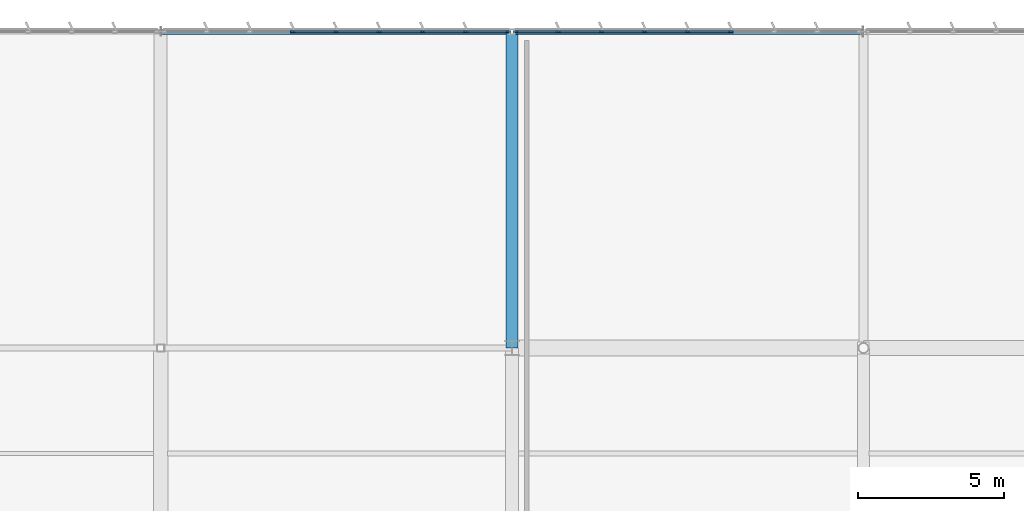
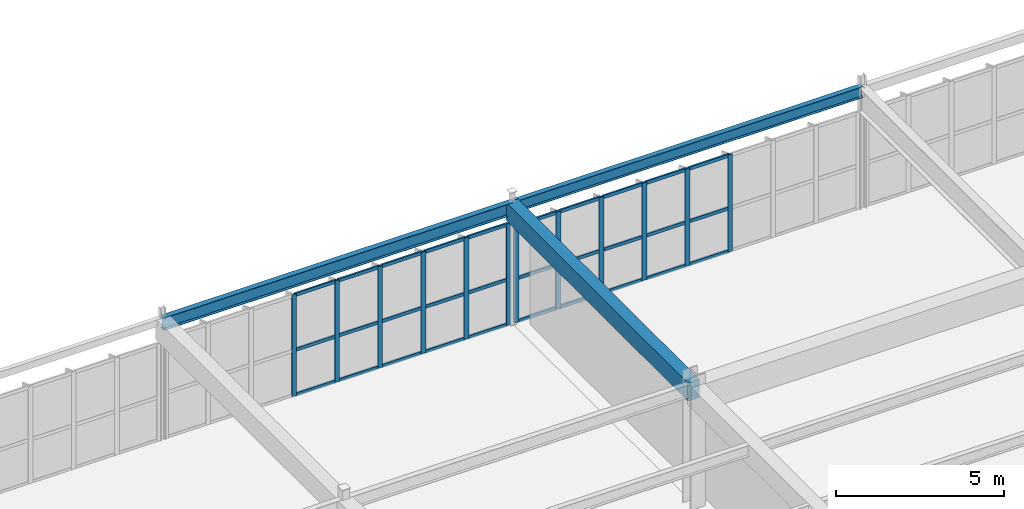
# One storey, part 109 of 186: 42 members, 3 beams, 2 elements without a shape of their own.
"""IFC4 building model written with IfcOpenShell, lengths in metres."""

from ifc_helpers import new_model, si_unit, direction, frame, origin, origin_2d, place, context, subcontext, project, spatial, rectangle, i_section, extrude, material, layer, layer_set, material_profile, profile_set, type_object, element, aggregate, save


model = new_model("IFC4")

# Units and contexts
model_context = context("Model", 3, precision=1e-05, world=origin(), true_north=direction((0.0, 1.0)))
body_context = subcontext(model_context, "Body", "Model", "MODEL_VIEW")
ifc_project = project(units=[si_unit("LENGTHUNIT", "METRE"), si_unit("AREAUNIT", "SQUARE_METRE"), si_unit("VOLUMEUNIT", "CUBIC_METRE"), si_unit("PLANEANGLEUNIT", "RADIAN"), si_unit("MASSUNIT", "GRAM", prefix="KILO")], contexts=[model_context])

# Site, building, storey
site_placement = place(None, origin())
site = spatial("IfcSite", under=ifc_project, at=site_placement, CompositionType="ELEMENT")
building_placement = place(site_placement, origin())
building = spatial("IfcBuilding", under=site, at=building_placement, Name="Tarnwether General Hospital", CompositionType="ELEMENT")
storey_placement = place(building_placement, frame((0.0, 0.0, 9.60009765625)))
storey = spatial("IfcBuildingStorey", under=building, at=storey_placement, Name="L02", CompositionType="ELEMENT", Elevation=9.60009765625)

# Beams
ifc_material_1 = material(Name="Concrete 40 MPa", Category="concrete")
ifc_material_profile_1 = material_profile(ifc_material_1, rectangle(XDim=0.39990234375, YDim=0.64990234375, at=origin_2d()), Name="RC-BM-400x650")
ifc_profile_set_1 = profile_set([ifc_material_profile_1], Name="Concrete 40 MPa")
beam_type_1 = type_object("IfcBeamType", Name="BM-G14", PredefinedType="BEAM", material=ifc_profile_set_1)
beam_1_placement = place(storey_placement, frame((168.0, 115.199951171875, 4.119873046875), z_axis=(0.0, 1.0, 0.0), x_axis=(-1.0, 0.0, 0.0)))
element("IfcBeam", 1, at=beam_1_placement, inside=storey, type_object=beam_type_1, Name="Primary Girder BMG-L02-16800_11520-16800_12600-1620", PredefinedType="BEAM", context=body_context, shape_type="SweptSolid", body=[
    extrude(rectangle(XDim=0.39990234375, YDim=0.64990234375, at=origin_2d()), origin(), (0.0, 0.0, 1.0), 10.800048828125),
])
ifc_material_2 = material(Name="Steel Grade 350 (350 MPa)", Category="steel")
ifc_material_profile_2 = material_profile(ifc_material_2, i_section(OverallWidth=0.18994140625, OverallDepth=0.4541015625, WebThickness=0.008544921875, FlangeThickness=0.0126953125, at=origin_2d()), Name="460UB67.1")
ifc_profile_set_2 = profile_set([ifc_material_profile_2], Name="Steel Grade 350 (350 MPa)")
beam_type_2 = type_object("IfcBeamType", Name="BM-SP1", PredefinedType="SPANDREL", material=ifc_profile_set_2)
beam_2_placement = place(storey_placement, frame((156.0, 126.0, 4.218017578125), z_axis=(1.0, 0.0, 0.0), x_axis=(0.0, 1.0, 0.0)))
element("IfcBeam", 2, at=beam_2_placement, inside=storey, type_object=beam_type_2, Name="Primary Girder BMG-L02-15600_12600-16800_12600-1605", PredefinedType="SPANDREL", context=body_context, shape_type="SweptSolid", body=[
    extrude(i_section(OverallWidth=0.18994140625, OverallDepth=0.4541015625, WebThickness=0.008544921875, FlangeThickness=0.0126953125, at=origin_2d()), origin(), (0.0, 0.0, 1.0), 12.0),
])
ifc_material_3 = material(Name="Steel Grade 350 (350 MPa)", Category="steel")
ifc_material_profile_3 = material_profile(ifc_material_3, i_section(OverallWidth=0.177978515625, OverallDepth=0.403076171875, WebThickness=0.007568359375, FlangeThickness=0.010986328125, at=origin_2d()), Name="410UB53.7")
ifc_profile_set_3 = profile_set([ifc_material_profile_3], Name="Steel Grade 350 (350 MPa)")
beam_type_3 = type_object("IfcBeamType", Name="BM-SP2", PredefinedType="SPANDREL", material=ifc_profile_set_3)
beam_3_placement = place(storey_placement, frame((168.0, 126.0, 4.23828125), z_axis=(1.0, 0.0, 0.0), x_axis=(0.0, 1.0, 0.0)))
element("IfcBeam", 3, at=beam_3_placement, inside=storey, type_object=beam_type_3, Name="Primary Girder BMG-L02-16800_12600-18000_12600-1621", PredefinedType="SPANDREL", context=body_context, shape_type="SweptSolid", body=[
    extrude(i_section(OverallWidth=0.177978515625, OverallDepth=0.403076171875, WebThickness=0.007568359375, FlangeThickness=0.010986328125, at=origin_2d()), origin(), (0.0, 0.0, 1.0), 12.0),
])

# Curtain wall, members
ifc_material_4 = material(Name="Anodised aluminium", Category="aluminium")
ifc_layer = layer(ifc_material_4, 0.159912109375)
ifc_layer_set = layer_set([ifc_layer], Name="Anodised aluminium")
curtain_wall_type = type_object("IfcCurtainWallType", Name="CW-16", PredefinedType="NOTDEFINED", material=ifc_layer_set)
curtain_wall_1_placement = place(storey_placement, origin())
curtain_wall_1 = element("IfcCurtainWall", 4, at=curtain_wall_1_placement, inside=storey, type_object=curtain_wall_type, Name="Curtain Wall CWG-L02-1561_1260-0463", PredefinedType="NOTDEFINED")
ifc_material_5 = material(Name="Anodised aluminium", Category="aluminium")
ifc_material_profile_4 = material_profile(ifc_material_5, rectangle(XDim=0.06005859375, YDim=0.159912109375, at=origin_2d()), Name="ALU-MUL-60x160")
ifc_profile_set_4 = profile_set([ifc_material_profile_4], Name="Anodised aluminium")
member_type_1 = type_object("IfcMemberType", Name="CW-ML1", PredefinedType="MULLION", material=ifc_profile_set_4)
member_1_placement = place(storey_placement, frame((160.514892578125, 126.0, 0.0), z_axis=(0.0, 0.0, 1.0), x_axis=(0.0, 1.0, 0.0)))
member_1 = element("IfcMember", 5, at=member_1_placement, type_object=member_type_1, Name="CW-16 mullion 4", PredefinedType="MULLION", context=body_context, shape_type="SweptSolid", body=[
    extrude(rectangle(XDim=0.06005859375, YDim=0.159912109375, at=origin_2d()), origin(), (0.0, 0.0, 1.0), 3.679931640625),
])
member_2_placement = place(storey_placement, frame((161.990966796875, 126.0, 0.0), z_axis=(0.0, 0.0, 1.0), x_axis=(0.0, 1.0, 0.0)))
member_2 = element("IfcMember", 6, at=member_2_placement, type_object=member_type_1, Name="CW-16 mullion 5", PredefinedType="MULLION", context=body_context, shape_type="SweptSolid", body=[
    extrude(rectangle(XDim=0.06005859375, YDim=0.159912109375, at=origin_2d()), origin(), (0.0, 0.0, 1.0), 3.679931640625),
])
member_3_placement = place(storey_placement, frame((163.467041015625, 126.0, 0.0), z_axis=(0.0, 0.0, 1.0), x_axis=(0.0, 1.0, 0.0)))
member_3 = element("IfcMember", 7, at=member_3_placement, type_object=member_type_1, Name="CW-16 mullion 6", PredefinedType="MULLION", context=body_context, shape_type="SweptSolid", body=[
    extrude(rectangle(XDim=0.06005859375, YDim=0.159912109375, at=origin_2d()), origin(), (0.0, 0.0, 1.0), 3.679931640625),
])
member_4_placement = place(storey_placement, frame((164.943115234375, 126.0, 0.0), z_axis=(0.0, 0.0, 1.0), x_axis=(0.0, 1.0, 0.0)))
member_4 = element("IfcMember", 8, at=member_4_placement, type_object=member_type_1, Name="CW-16 mullion 7", PredefinedType="MULLION", context=body_context, shape_type="SweptSolid", body=[
    extrude(rectangle(XDim=0.06005859375, YDim=0.159912109375, at=origin_2d()), origin(), (0.0, 0.0, 1.0), 3.679931640625),
])
member_5_placement = place(storey_placement, frame((166.4189453125, 126.0, 0.0), z_axis=(0.0, 0.0, 1.0), x_axis=(0.0, 1.0, 0.0)))
member_5 = element("IfcMember", 9, at=member_5_placement, type_object=member_type_1, Name="CW-16 mullion 8", PredefinedType="MULLION", context=body_context, shape_type="SweptSolid", body=[
    extrude(rectangle(XDim=0.06005859375, YDim=0.159912109375, at=origin_2d()), origin(), (0.0, 0.0, 1.0), 3.679931640625),
])
member_6_placement = place(storey_placement, frame((167.864990234375, 126.0, 0.0), z_axis=(0.0, 0.0, 1.0), x_axis=(0.0, 1.0, 0.0)))
member_6 = element("IfcMember", 10, at=member_6_placement, type_object=member_type_1, Name="CW-16 mullion 9", PredefinedType="MULLION", context=body_context, shape_type="SweptSolid", body=[
    extrude(rectangle(XDim=0.06005859375, YDim=0.159912109375, at=origin_2d()), origin(), (0.0, 0.0, 1.0), 3.679931640625),
])

curtain_wall_2_placement = place(storey_placement, origin())
curtain_wall_2 = element("IfcCurtainWall", 11, at=curtain_wall_2_placement, inside=storey, type_object=curtain_wall_type, Name="Curtain Wall CWG-L02-1681_1260-0464", PredefinedType="NOTDEFINED")
member_7_placement = place(storey_placement, frame((168.135009765625, 126.0, 0.0), z_axis=(0.0, 0.0, 1.0), x_axis=(0.0, 1.0, 0.0)))
member_7 = element("IfcMember", 12, at=member_7_placement, type_object=member_type_1, Name="CW-16 mullion 1", PredefinedType="MULLION", context=body_context, shape_type="SweptSolid", body=[
    extrude(rectangle(XDim=0.06005859375, YDim=0.159912109375, at=origin_2d()), origin(), (0.0, 0.0, 1.0), 3.52490234375),
])
member_8_placement = place(storey_placement, frame((169.578369140625, 126.0, 0.0), z_axis=(0.0, 0.0, 1.0), x_axis=(0.0, 1.0, 0.0)))
member_8 = element("IfcMember", 13, at=member_8_placement, type_object=member_type_1, Name="CW-16 mullion 2", PredefinedType="MULLION", context=body_context, shape_type="SweptSolid", body=[
    extrude(rectangle(XDim=0.06005859375, YDim=0.159912109375, at=origin_2d()), origin(), (0.0, 0.0, 1.0), 3.52490234375),
])
member_9_placement = place(storey_placement, frame((171.051513671875, 126.0, 0.0), z_axis=(0.0, 0.0, 1.0), x_axis=(0.0, 1.0, 0.0)))
member_9 = element("IfcMember", 14, at=member_9_placement, type_object=member_type_1, Name="CW-16 mullion 3", PredefinedType="MULLION", context=body_context, shape_type="SweptSolid", body=[
    extrude(rectangle(XDim=0.06005859375, YDim=0.159912109375, at=origin_2d()), origin(), (0.0, 0.0, 1.0), 3.52490234375),
])
member_10_placement = place(storey_placement, frame((172.524658203125, 126.0, 0.0), z_axis=(0.0, 0.0, 1.0), x_axis=(0.0, 1.0, 0.0)))
member_10 = element("IfcMember", 15, at=member_10_placement, type_object=member_type_1, Name="CW-16 mullion 4", PredefinedType="MULLION", context=body_context, shape_type="SweptSolid", body=[
    extrude(rectangle(XDim=0.06005859375, YDim=0.159912109375, at=origin_2d()), origin(), (0.0, 0.0, 1.0), 3.52490234375),
])
member_11_placement = place(storey_placement, frame((173.998046875, 126.0, 0.0), z_axis=(0.0, 0.0, 1.0), x_axis=(0.0, 1.0, 0.0)))
member_11 = element("IfcMember", 16, at=member_11_placement, type_object=member_type_1, Name="CW-16 mullion 5", PredefinedType="MULLION", context=body_context, shape_type="SweptSolid", body=[
    extrude(rectangle(XDim=0.06005859375, YDim=0.159912109375, at=origin_2d()), origin(), (0.0, 0.0, 1.0), 3.52490234375),
])
member_12_placement = place(storey_placement, frame((175.47119140625, 126.0, 0.0), z_axis=(0.0, 0.0, 1.0), x_axis=(0.0, 1.0, 0.0)))
member_12 = element("IfcMember", 17, at=member_12_placement, type_object=member_type_1, Name="CW-16 mullion 6", PredefinedType="MULLION", context=body_context, shape_type="SweptSolid", body=[
    extrude(rectangle(XDim=0.06005859375, YDim=0.159912109375, at=origin_2d()), origin(), (0.0, 0.0, 1.0), 3.52490234375),
])

# Member
ifc_material_6 = material(Name="Anodised aluminium", Category="aluminium")
ifc_material_profile_5 = material_profile(ifc_material_6, rectangle(XDim=0.06005859375, YDim=0.1201171875, at=origin_2d()), Name="ALU-TRN-60x120")
ifc_profile_set_5 = profile_set([ifc_material_profile_5], Name="Anodised aluminium")
member_type_2 = type_object("IfcMemberType", Name="CW-TR1", PredefinedType="USERDEFINED", material=ifc_profile_set_5)
member_13_placement = place(storey_placement, frame((160.544921875, 126.0, 0.02978515625), z_axis=(1.0, 0.0, 0.0), x_axis=(0.0, 1.0, 0.0)))
member_13 = element("IfcMember", 18, at=member_13_placement, type_object=member_type_2, Name="CW-16 transom 4.1", ObjectType="TRANSOM", PredefinedType="USERDEFINED", context=body_context, shape_type="SweptSolid", body=[
    extrude(rectangle(XDim=0.06005859375, YDim=0.1201171875, at=origin_2d()), origin(), (0.0, 0.0, 1.0), 1.416015625),
])

member_14_placement = place(storey_placement, frame((160.544921875, 126.0, 1.656005859375), z_axis=(1.0, 0.0, 0.0), x_axis=(0.0, 1.0, 0.0)))
member_14 = element("IfcMember", 19, at=member_14_placement, type_object=member_type_2, Name="CW-16 transom 4.2", ObjectType="TRANSOM", PredefinedType="USERDEFINED", context=body_context, shape_type="SweptSolid", body=[
    extrude(rectangle(XDim=0.06005859375, YDim=0.1201171875, at=origin_2d()), origin(), (0.0, 0.0, 1.0), 1.416015625),
])

member_15_placement = place(storey_placement, frame((160.544921875, 126.0, 3.64990234375), z_axis=(1.0, 0.0, 0.0), x_axis=(0.0, 1.0, 0.0)))
member_15 = element("IfcMember", 20, at=member_15_placement, type_object=member_type_2, Name="CW-16 transom 4.3", ObjectType="TRANSOM", PredefinedType="USERDEFINED", context=body_context, shape_type="SweptSolid", body=[
    extrude(rectangle(XDim=0.06005859375, YDim=0.1201171875, at=origin_2d()), origin(), (0.0, 0.0, 1.0), 1.416015625),
])

member_16_placement = place(storey_placement, frame((162.02099609375, 126.0, 0.02978515625), z_axis=(1.0, 0.0, 0.0), x_axis=(0.0, 1.0, 0.0)))
member_16 = element("IfcMember", 21, at=member_16_placement, type_object=member_type_2, Name="CW-16 transom 5.1", ObjectType="TRANSOM", PredefinedType="USERDEFINED", context=body_context, shape_type="SweptSolid", body=[
    extrude(rectangle(XDim=0.06005859375, YDim=0.1201171875, at=origin_2d()), origin(), (0.0, 0.0, 1.0), 1.416015625),
])

member_17_placement = place(storey_placement, frame((162.02099609375, 126.0, 1.656005859375), z_axis=(1.0, 0.0, 0.0), x_axis=(0.0, 1.0, 0.0)))
member_17 = element("IfcMember", 22, at=member_17_placement, type_object=member_type_2, Name="CW-16 transom 5.2", ObjectType="TRANSOM", PredefinedType="USERDEFINED", context=body_context, shape_type="SweptSolid", body=[
    extrude(rectangle(XDim=0.06005859375, YDim=0.1201171875, at=origin_2d()), origin(), (0.0, 0.0, 1.0), 1.416015625),
])

member_18_placement = place(storey_placement, frame((162.02099609375, 126.0, 3.64990234375), z_axis=(1.0, 0.0, 0.0), x_axis=(0.0, 1.0, 0.0)))
member_18 = element("IfcMember", 23, at=member_18_placement, type_object=member_type_2, Name="CW-16 transom 5.3", ObjectType="TRANSOM", PredefinedType="USERDEFINED", context=body_context, shape_type="SweptSolid", body=[
    extrude(rectangle(XDim=0.06005859375, YDim=0.1201171875, at=origin_2d()), origin(), (0.0, 0.0, 1.0), 1.416015625),
])

member_19_placement = place(storey_placement, frame((163.4970703125, 126.0, 0.02978515625), z_axis=(1.0, 0.0, 0.0), x_axis=(0.0, 1.0, 0.0)))
member_19 = element("IfcMember", 24, at=member_19_placement, type_object=member_type_2, Name="CW-16 transom 6.1", ObjectType="TRANSOM", PredefinedType="USERDEFINED", context=body_context, shape_type="SweptSolid", body=[
    extrude(rectangle(XDim=0.06005859375, YDim=0.1201171875, at=origin_2d()), origin(), (0.0, 0.0, 1.0), 1.416015625),
])

member_20_placement = place(storey_placement, frame((163.4970703125, 126.0, 1.656005859375), z_axis=(1.0, 0.0, 0.0), x_axis=(0.0, 1.0, 0.0)))
member_20 = element("IfcMember", 25, at=member_20_placement, type_object=member_type_2, Name="CW-16 transom 6.2", ObjectType="TRANSOM", PredefinedType="USERDEFINED", context=body_context, shape_type="SweptSolid", body=[
    extrude(rectangle(XDim=0.06005859375, YDim=0.1201171875, at=origin_2d()), origin(), (0.0, 0.0, 1.0), 1.416015625),
])

member_21_placement = place(storey_placement, frame((163.4970703125, 126.0, 3.64990234375), z_axis=(1.0, 0.0, 0.0), x_axis=(0.0, 1.0, 0.0)))
member_21 = element("IfcMember", 26, at=member_21_placement, type_object=member_type_2, Name="CW-16 transom 6.3", ObjectType="TRANSOM", PredefinedType="USERDEFINED", context=body_context, shape_type="SweptSolid", body=[
    extrude(rectangle(XDim=0.06005859375, YDim=0.1201171875, at=origin_2d()), origin(), (0.0, 0.0, 1.0), 1.416015625),
])

member_22_placement = place(storey_placement, frame((164.972900390625, 126.0, 0.02978515625), z_axis=(1.0, 0.0, 0.0), x_axis=(0.0, 1.0, 0.0)))
member_22 = element("IfcMember", 27, at=member_22_placement, type_object=member_type_2, Name="CW-16 transom 7.1", ObjectType="TRANSOM", PredefinedType="USERDEFINED", context=body_context, shape_type="SweptSolid", body=[
    extrude(rectangle(XDim=0.06005859375, YDim=0.1201171875, at=origin_2d()), origin(), (0.0, 0.0, 1.0), 1.416015625),
])

member_23_placement = place(storey_placement, frame((164.972900390625, 126.0, 1.656005859375), z_axis=(1.0, 0.0, 0.0), x_axis=(0.0, 1.0, 0.0)))
member_23 = element("IfcMember", 28, at=member_23_placement, type_object=member_type_2, Name="CW-16 transom 7.2", ObjectType="TRANSOM", PredefinedType="USERDEFINED", context=body_context, shape_type="SweptSolid", body=[
    extrude(rectangle(XDim=0.06005859375, YDim=0.1201171875, at=origin_2d()), origin(), (0.0, 0.0, 1.0), 1.416015625),
])

member_24_placement = place(storey_placement, frame((164.972900390625, 126.0, 3.64990234375), z_axis=(1.0, 0.0, 0.0), x_axis=(0.0, 1.0, 0.0)))
member_24 = element("IfcMember", 29, at=member_24_placement, type_object=member_type_2, Name="CW-16 transom 7.3", ObjectType="TRANSOM", PredefinedType="USERDEFINED", context=body_context, shape_type="SweptSolid", body=[
    extrude(rectangle(XDim=0.06005859375, YDim=0.1201171875, at=origin_2d()), origin(), (0.0, 0.0, 1.0), 1.416015625),
])

member_25_placement = place(storey_placement, frame((166.448974609375, 126.0, 0.02978515625), z_axis=(1.0, 0.0, 0.0), x_axis=(0.0, 1.0, 0.0)))
member_25 = element("IfcMember", 30, at=member_25_placement, type_object=member_type_2, Name="CW-16 transom 8.1", ObjectType="TRANSOM", PredefinedType="USERDEFINED", context=body_context, shape_type="SweptSolid", body=[
    extrude(rectangle(XDim=0.06005859375, YDim=0.1201171875, at=origin_2d()), origin(), (0.0, 0.0, 1.0), 1.385986328125),
])

member_26_placement = place(storey_placement, frame((166.448974609375, 126.0, 1.656005859375), z_axis=(1.0, 0.0, 0.0), x_axis=(0.0, 1.0, 0.0)))
member_26 = element("IfcMember", 31, at=member_26_placement, type_object=member_type_2, Name="CW-16 transom 8.2", ObjectType="TRANSOM", PredefinedType="USERDEFINED", context=body_context, shape_type="SweptSolid", body=[
    extrude(rectangle(XDim=0.06005859375, YDim=0.1201171875, at=origin_2d()), origin(), (0.0, 0.0, 1.0), 1.385986328125),
])

member_27_placement = place(storey_placement, frame((166.448974609375, 126.0, 3.64990234375), z_axis=(1.0, 0.0, 0.0), x_axis=(0.0, 1.0, 0.0)))
member_27 = element("IfcMember", 32, at=member_27_placement, type_object=member_type_2, Name="CW-16 transom 8.3", ObjectType="TRANSOM", PredefinedType="USERDEFINED", context=body_context, shape_type="SweptSolid", body=[
    extrude(rectangle(XDim=0.06005859375, YDim=0.1201171875, at=origin_2d()), origin(), (0.0, 0.0, 1.0), 1.385986328125),
])

aggregate(curtain_wall_1, [member_1, member_2, member_3, member_4, member_5, member_6, member_13, member_14, member_15, member_16, member_17, member_18, member_19, member_20, member_21, member_22, member_23, member_24, member_25, member_26, member_27])

member_28_placement = place(storey_placement, frame((168.1650390625, 126.0, 0.02978515625), z_axis=(1.0, 0.0, 0.0), x_axis=(0.0, 1.0, 0.0)))
member_28 = element("IfcMember", 33, at=member_28_placement, type_object=member_type_2, Name="CW-16 transom 1.1", ObjectType="TRANSOM", PredefinedType="USERDEFINED", context=body_context, shape_type="SweptSolid", body=[
    extrude(rectangle(XDim=0.06005859375, YDim=0.1201171875, at=origin_2d()), origin(), (0.0, 0.0, 1.0), 1.38330078125),
])

member_29_placement = place(storey_placement, frame((168.1650390625, 126.0, 1.586181640625), z_axis=(1.0, 0.0, 0.0), x_axis=(0.0, 1.0, 0.0)))
member_29 = element("IfcMember", 34, at=member_29_placement, type_object=member_type_2, Name="CW-16 transom 1.2", ObjectType="TRANSOM", PredefinedType="USERDEFINED", context=body_context, shape_type="SweptSolid", body=[
    extrude(rectangle(XDim=0.06005859375, YDim=0.1201171875, at=origin_2d()), origin(), (0.0, 0.0, 1.0), 1.38330078125),
])

member_30_placement = place(storey_placement, frame((168.1650390625, 126.0, 3.494873046875), z_axis=(1.0, 0.0, 0.0), x_axis=(0.0, 1.0, 0.0)))
member_30 = element("IfcMember", 35, at=member_30_placement, type_object=member_type_2, Name="CW-16 transom 1.3", ObjectType="TRANSOM", PredefinedType="USERDEFINED", context=body_context, shape_type="SweptSolid", body=[
    extrude(rectangle(XDim=0.06005859375, YDim=0.1201171875, at=origin_2d()), origin(), (0.0, 0.0, 1.0), 1.38330078125),
])

member_31_placement = place(storey_placement, frame((169.608154296875, 126.0, 0.02978515625), z_axis=(1.0, 0.0, 0.0), x_axis=(0.0, 1.0, 0.0)))
member_31 = element("IfcMember", 36, at=member_31_placement, type_object=member_type_2, Name="CW-16 transom 2.1", ObjectType="TRANSOM", PredefinedType="USERDEFINED", context=body_context, shape_type="SweptSolid", body=[
    extrude(rectangle(XDim=0.06005859375, YDim=0.1201171875, at=origin_2d()), origin(), (0.0, 0.0, 1.0), 1.413330078125),
])

member_32_placement = place(storey_placement, frame((169.608154296875, 126.0, 1.586181640625), z_axis=(1.0, 0.0, 0.0), x_axis=(0.0, 1.0, 0.0)))
member_32 = element("IfcMember", 37, at=member_32_placement, type_object=member_type_2, Name="CW-16 transom 2.2", ObjectType="TRANSOM", PredefinedType="USERDEFINED", context=body_context, shape_type="SweptSolid", body=[
    extrude(rectangle(XDim=0.06005859375, YDim=0.1201171875, at=origin_2d()), origin(), (0.0, 0.0, 1.0), 1.413330078125),
])

member_33_placement = place(storey_placement, frame((169.608154296875, 126.0, 3.494873046875), z_axis=(1.0, 0.0, 0.0), x_axis=(0.0, 1.0, 0.0)))
member_33 = element("IfcMember", 38, at=member_33_placement, type_object=member_type_2, Name="CW-16 transom 2.3", ObjectType="TRANSOM", PredefinedType="USERDEFINED", context=body_context, shape_type="SweptSolid", body=[
    extrude(rectangle(XDim=0.06005859375, YDim=0.1201171875, at=origin_2d()), origin(), (0.0, 0.0, 1.0), 1.413330078125),
])

member_34_placement = place(storey_placement, frame((171.08154296875, 126.0, 0.02978515625), z_axis=(1.0, 0.0, 0.0), x_axis=(0.0, 1.0, 0.0)))
member_34 = element("IfcMember", 39, at=member_34_placement, type_object=member_type_2, Name="CW-16 transom 3.1", ObjectType="TRANSOM", PredefinedType="USERDEFINED", context=body_context, shape_type="SweptSolid", body=[
    extrude(rectangle(XDim=0.06005859375, YDim=0.1201171875, at=origin_2d()), origin(), (0.0, 0.0, 1.0), 1.4130859375),
])

member_35_placement = place(storey_placement, frame((171.08154296875, 126.0, 1.586181640625), z_axis=(1.0, 0.0, 0.0), x_axis=(0.0, 1.0, 0.0)))
member_35 = element("IfcMember", 40, at=member_35_placement, type_object=member_type_2, Name="CW-16 transom 3.2", ObjectType="TRANSOM", PredefinedType="USERDEFINED", context=body_context, shape_type="SweptSolid", body=[
    extrude(rectangle(XDim=0.06005859375, YDim=0.1201171875, at=origin_2d()), origin(), (0.0, 0.0, 1.0), 1.4130859375),
])

member_36_placement = place(storey_placement, frame((171.08154296875, 126.0, 3.494873046875), z_axis=(1.0, 0.0, 0.0), x_axis=(0.0, 1.0, 0.0)))
member_36 = element("IfcMember", 41, at=member_36_placement, type_object=member_type_2, Name="CW-16 transom 3.3", ObjectType="TRANSOM", PredefinedType="USERDEFINED", context=body_context, shape_type="SweptSolid", body=[
    extrude(rectangle(XDim=0.06005859375, YDim=0.1201171875, at=origin_2d()), origin(), (0.0, 0.0, 1.0), 1.4130859375),
])

member_37_placement = place(storey_placement, frame((172.5546875, 126.0, 0.02978515625), z_axis=(1.0, 0.0, 0.0), x_axis=(0.0, 1.0, 0.0)))
member_37 = element("IfcMember", 42, at=member_37_placement, type_object=member_type_2, Name="CW-16 transom 4.1", ObjectType="TRANSOM", PredefinedType="USERDEFINED", context=body_context, shape_type="SweptSolid", body=[
    extrude(rectangle(XDim=0.06005859375, YDim=0.1201171875, at=origin_2d()), origin(), (0.0, 0.0, 1.0), 1.413330078125),
])

member_38_placement = place(storey_placement, frame((172.5546875, 126.0, 1.586181640625), z_axis=(1.0, 0.0, 0.0), x_axis=(0.0, 1.0, 0.0)))
member_38 = element("IfcMember", 43, at=member_38_placement, type_object=member_type_2, Name="CW-16 transom 4.2", ObjectType="TRANSOM", PredefinedType="USERDEFINED", context=body_context, shape_type="SweptSolid", body=[
    extrude(rectangle(XDim=0.06005859375, YDim=0.1201171875, at=origin_2d()), origin(), (0.0, 0.0, 1.0), 1.413330078125),
])

member_39_placement = place(storey_placement, frame((172.5546875, 126.0, 3.494873046875), z_axis=(1.0, 0.0, 0.0), x_axis=(0.0, 1.0, 0.0)))
member_39 = element("IfcMember", 44, at=member_39_placement, type_object=member_type_2, Name="CW-16 transom 4.3", ObjectType="TRANSOM", PredefinedType="USERDEFINED", context=body_context, shape_type="SweptSolid", body=[
    extrude(rectangle(XDim=0.06005859375, YDim=0.1201171875, at=origin_2d()), origin(), (0.0, 0.0, 1.0), 1.413330078125),
])

member_40_placement = place(storey_placement, frame((174.028076171875, 126.0, 0.02978515625), z_axis=(1.0, 0.0, 0.0), x_axis=(0.0, 1.0, 0.0)))
member_40 = element("IfcMember", 45, at=member_40_placement, type_object=member_type_2, Name="CW-16 transom 5.1", ObjectType="TRANSOM", PredefinedType="USERDEFINED", context=body_context, shape_type="SweptSolid", body=[
    extrude(rectangle(XDim=0.06005859375, YDim=0.1201171875, at=origin_2d()), origin(), (0.0, 0.0, 1.0), 1.4130859375),
])

member_41_placement = place(storey_placement, frame((174.028076171875, 126.0, 1.586181640625), z_axis=(1.0, 0.0, 0.0), x_axis=(0.0, 1.0, 0.0)))
member_41 = element("IfcMember", 46, at=member_41_placement, type_object=member_type_2, Name="CW-16 transom 5.2", ObjectType="TRANSOM", PredefinedType="USERDEFINED", context=body_context, shape_type="SweptSolid", body=[
    extrude(rectangle(XDim=0.06005859375, YDim=0.1201171875, at=origin_2d()), origin(), (0.0, 0.0, 1.0), 1.4130859375),
])

member_42_placement = place(storey_placement, frame((174.028076171875, 126.0, 3.494873046875), z_axis=(1.0, 0.0, 0.0), x_axis=(0.0, 1.0, 0.0)))
member_42 = element("IfcMember", 47, at=member_42_placement, type_object=member_type_2, Name="CW-16 transom 5.3", ObjectType="TRANSOM", PredefinedType="USERDEFINED", context=body_context, shape_type="SweptSolid", body=[
    extrude(rectangle(XDim=0.06005859375, YDim=0.1201171875, at=origin_2d()), origin(), (0.0, 0.0, 1.0), 1.4130859375),
])

aggregate(curtain_wall_2, [member_7, member_8, member_9, member_10, member_11, member_12, member_28, member_29, member_30, member_31, member_32, member_33, member_34, member_35, member_36, member_37, member_38, member_39, member_40, member_41, member_42])

save(model, "model.ifc")
